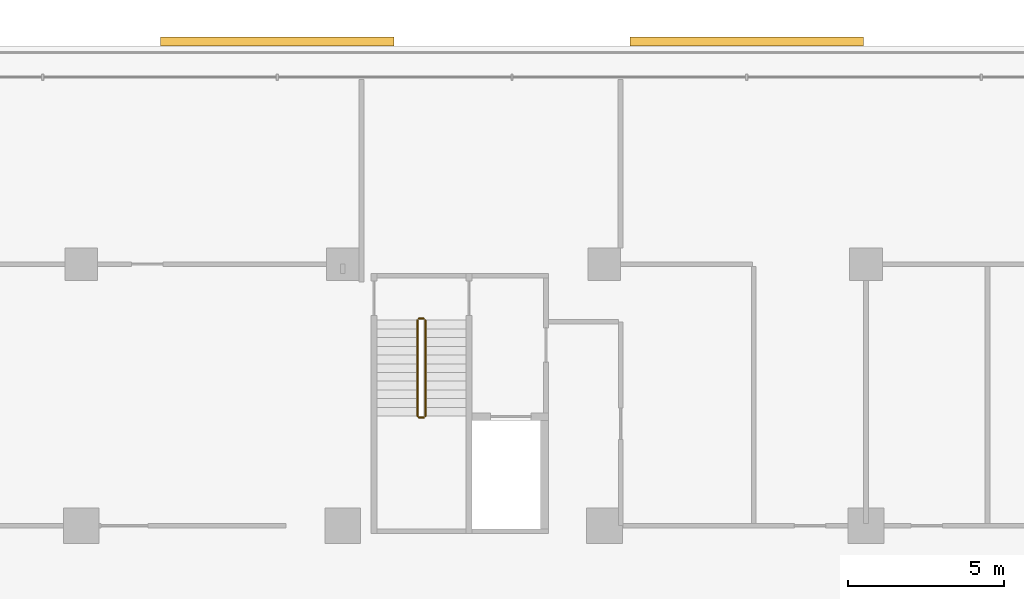
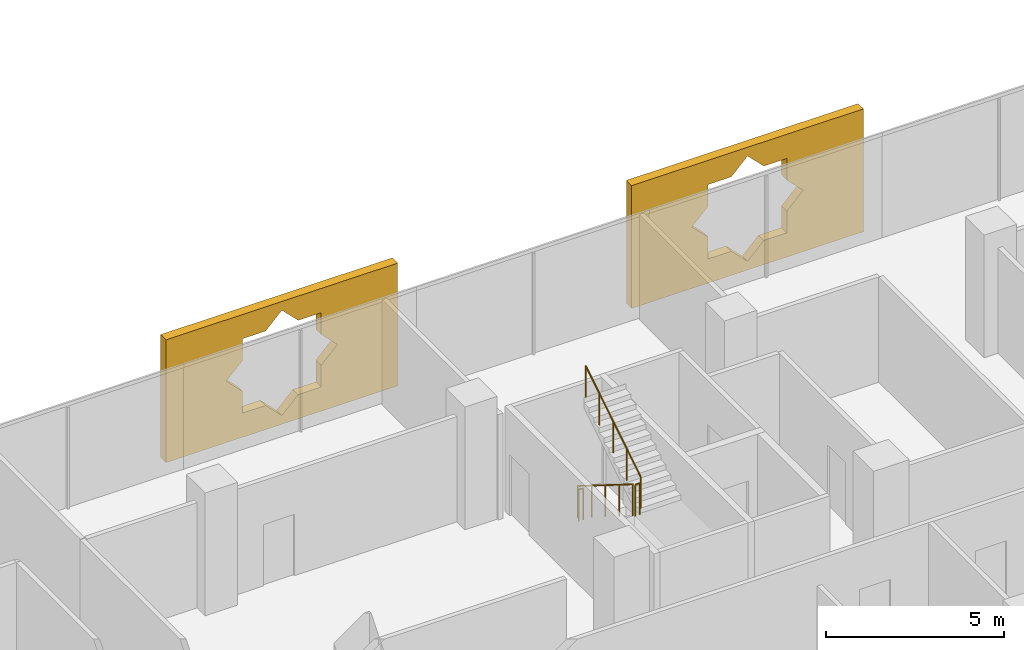
# One storey, part 24 of 25: 4 railings, 2 coverings.
"""IFC4 building model written with IfcOpenShell, lengths in metres."""

import ifcopenshell
import ifcopenshell.guid

model = None  # the IFC model being written
_history = None  # IfcOwnerHistory: only IFC2X3 demands one
_inside = {}  # id of a spatial element -> (the spatial element, [elements in it])
_under = {}  # id of a project, library or spatial element -> (it, [spatial elements below it])
_declared = {}  # id of a project -> (the project, [libraries it declares])
_typed = {}  # id of a type object -> (the type object, [elements of that type])
_made_of = {}  # id of a material, layer set ... -> (it, [elements and type objects made of it])


def new_model(schema):
    """Start an empty IFC model of exactly this schema.

    Asked for "IFC4X3", IfcOpenShell would pick the latest addendum, in which some entities
    have other attributes; the version numbers below select the first issue.
    IFC2X3 requires an IfcOwnerHistory on every rooted entity: one is made here for all.
    """
    global model, _history
    if schema == "IFC4X3":
        model = ifcopenshell.file(schema_version=(4, 3, 0, 0))
    else:
        model = ifcopenshell.file(schema=schema)
    _inside.clear()
    _under.clear()
    _declared.clear()
    _typed.clear()
    _made_of.clear()
    _history = None
    if model.schema == "IFC2X3":
        org = make("IfcOrganization", Name="unknown")
        user = make(
            "IfcPersonAndOrganization",
            ThePerson=make("IfcPerson", FamilyName="unknown"),
            TheOrganization=org,
        )
        app = make(
            "IfcApplication",
            ApplicationDeveloper=org,
            Version="unknown",
            ApplicationFullName="unknown",
            ApplicationIdentifier="unknown",
        )
        _history = make(
            "IfcOwnerHistory",
            OwningUser=user,
            OwningApplication=app,
            ChangeAction="ADDED",
            CreationDate=0,
        )
    return model


def make(cls, **values):
    """One entity of the class cls with the attributes given. An attribute that is None is left unset."""
    return model.create_entity(
        cls, **{name: value for name, value in values.items() if value is not None}
    )


def rooted(cls, **values):
    """An entity with a GlobalId (a new one), such as an element, a storey or a relation."""
    return make(cls, GlobalId=ifcopenshell.guid.new(), OwnerHistory=_history, **values)


def si_unit(unit_type, name, prefix=None):
    """IfcSIUnit, for example si_unit("LENGTHUNIT", "METRE", prefix="MILLI")."""
    return make("IfcSIUnit", UnitType=unit_type, Prefix=prefix, Name=name)


def assignment(units):
    """IfcUnitAssignment: the units of a project."""
    return None if units is None else make("IfcUnitAssignment", Units=units)


def point(xyz):
    """IfcCartesianPoint."""
    return None if xyz is None else make("IfcCartesianPoint", Coordinates=xyz)


def direction(xyz):
    """IfcDirection."""
    return None if xyz is None else make("IfcDirection", DirectionRatios=xyz)


def frame(location, z_axis=None, x_axis=None):
    """IfcAxis2Placement3D, a coordinate frame: its origin and axes. An axis left out is left unset."""
    return make(
        "IfcAxis2Placement3D",
        Location=point(location),
        Axis=direction(z_axis),
        RefDirection=direction(x_axis),
    )


def frame_2d(location, x_axis=None):
    """IfcAxis2Placement2D, a coordinate frame in the plane: its origin and x axis."""
    return make(
        "IfcAxis2Placement2D", Location=point(location), RefDirection=direction(x_axis)
    )


def origin():
    """The frame at (0, 0, 0) with its axes left unset."""
    return frame((0.0, 0.0, 0.0))


def origin_2d():
    """The frame at (0, 0) in the plane with its x axis left unset."""
    return frame_2d((0.0, 0.0))


def place(relative_to, where):
    """IfcLocalPlacement: puts the frame where relative to a parent placement (None: the world)."""
    return make(
        "IfcLocalPlacement", PlacementRelTo=relative_to, RelativePlacement=where
    )


def context(
    kind, dimensions, precision=None, world=None, true_north=None, identifier=None
):
    """IfcGeometricRepresentationContext, for example the 3D "Model" context."""
    return make(
        "IfcGeometricRepresentationContext",
        ContextIdentifier=identifier,
        ContextType=kind,
        CoordinateSpaceDimension=dimensions,
        Precision=precision,
        WorldCoordinateSystem=world,
        TrueNorth=true_north,
    )


def subcontext(parent, identifier, kind, view, scale=None):
    """IfcGeometricRepresentationSubContext, for example "Body" below "Model"."""
    return make(
        "IfcGeometricRepresentationSubContext",
        ContextIdentifier=identifier,
        ContextType=kind,
        ParentContext=parent,
        TargetScale=scale,
        TargetView=view,
    )


def project(units=None, contexts=None):
    """IfcProject with its units and contexts."""
    return rooted(
        "IfcProject",
        Name="project",
        RepresentationContexts=contexts,
        UnitsInContext=assignment(units),
    )


def spatial(cls, under=None, at=None, **own):
    """A site, building, storey or space (cls), placed at a placement, below another one or the project."""
    s = rooted(cls, ObjectPlacement=at, **own)
    if under is not None:
        _under.setdefault(under.id(), (under, []))[1].append(s)
    return s


def polyline(points):
    """IfcPolyline through the points."""
    return make("IfcPolyline", Points=[point(p) for p in points])


def profile(cls, at=None, kind="AREA", **sizes):
    """A parametric profile (cls). Its sizes go by their IFC names, for example OverallWidth=200.0."""
    return make(cls, ProfileType=kind, Position=at, **sizes)


def circle(**sizes):
    """IfcCircleProfileDef."""
    return profile("IfcCircleProfileDef", **sizes)


def outline(outer, holes=None, kind="AREA"):
    """IfcArbitraryClosedProfileDef: a profile drawn as a closed curve; with holes, ...WithVoids."""
    if holes is None:
        return make("IfcArbitraryClosedProfileDef", ProfileType=kind, OuterCurve=outer)
    return make(
        "IfcArbitraryProfileDefWithVoids",
        ProfileType=kind,
        OuterCurve=outer,
        InnerCurves=holes,
    )


def extrude(swept, where, along, depth):
    """IfcExtrudedAreaSolid: the profile swept, set in the frame where, extruded along a direction by depth."""
    return make(
        "IfcExtrudedAreaSolid",
        SweptArea=swept,
        Position=where,
        ExtrudedDirection=direction(along),
        Depth=depth,
    )


def shape(context_of_items, identifier, shape_type, items):
    """IfcShapeRepresentation: the items that make up one representation, for example the "Body"."""
    return make(
        "IfcShapeRepresentation",
        ContextOfItems=context_of_items,
        RepresentationIdentifier=identifier,
        RepresentationType=shape_type,
        Items=items,
    )


def material(Name=None, Category=None):
    """IfcMaterial."""
    return make("IfcMaterial", Name=Name, Category=Category)


def material_profile(
    of_material, cross_section, Name=None, Category=None, Priority=None
):
    """IfcMaterialProfile: a cross section and its material."""
    return make(
        "IfcMaterialProfile",
        Name=Name,
        Material=of_material,
        Profile=cross_section,
        Priority=Priority,
        Category=Category,
    )


def profile_set(profiles, Name=None, composite=None):
    """IfcMaterialProfileSet."""
    return make(
        "IfcMaterialProfileSet",
        Name=Name,
        MaterialProfiles=profiles,
        CompositeProfile=composite,
    )


def made_of(thing, what):
    """Note that an element or type object is made of a material, layer set ...; save() writes the relation."""
    if what is not None:
        _made_of.setdefault(what.id(), (what, []))[1].append(thing)
    return thing


def type_object(cls, material=None, **own):
    """A type object (cls), such as IfcWallType, which elements share."""
    return made_of(rooted(cls, **own), material)


def element(
    cls,
    number,
    at=None,
    inside=None,
    cuts=None,
    type_object=None,
    material=None,
    context=None,
    identifier="Body",
    shape_type=None,
    held_by="IfcProductDefinitionShape",
    body=None,
    shapes=None,
    **own,
):
    """One element of the class cls, such as IfcWall. Its Tag is "e" and its number.

    at: its placement. inside: the storey or other place that contains it. cuts: it is an
    opening in that element (IfcRelVoidsElement). A single representation is given by context,
    identifier, shape_type and body (its items); several are given by shapes. held_by: the class
    of the entity that holds the representations. save() writes the other relations.
    """
    e = rooted(cls, Tag="e%d" % number, ObjectPlacement=at, **own)
    if body is not None:
        shapes = [shape(context, identifier, shape_type, body)]
    if shapes is not None:
        e.Representation = make(held_by, Representations=shapes)
    if inside is not None:
        _inside.setdefault(inside.id(), (inside, []))[1].append(e)
    if cuts is not None:
        rooted(
            "IfcRelVoidsElement", RelatingBuildingElement=cuts, RelatedOpeningElement=e
        )
    if type_object is not None:
        _typed.setdefault(type_object.id(), (type_object, []))[1].append(e)
    return made_of(e, material)


def aggregate(whole, parts):
    """IfcRelAggregates: a whole, such as a stair, and the parts it consists of."""
    return rooted("IfcRelAggregates", RelatingObject=whole, RelatedObjects=parts)


def save(model, path):
    """Write the relations noted so far, then the file.

    IfcRelAggregates (storeys below a building ...), IfcRelContainedInSpatialStructure (elements
    in a storey), IfcRelDefinesByType, IfcRelAssociatesMaterial and IfcRelDeclares: one each for
    every whole, place, type object, material and project.
    """
    for whole, parts in _under.values():
        aggregate(whole, parts)
    for where, things in _inside.values():
        rooted(
            "IfcRelContainedInSpatialStructure",
            RelatedElements=things,
            RelatingStructure=where,
        )
    for kind, things in _typed.values():
        rooted("IfcRelDefinesByType", RelatedObjects=things, RelatingType=kind)
    for what, things in _made_of.values():
        rooted("IfcRelAssociatesMaterial", RelatedObjects=things, RelatingMaterial=what)
    for by, libraries in _declared.values():
        rooted("IfcRelDeclares", RelatingContext=by, RelatedDefinitions=libraries)
    model.write(path)


model = new_model("IFC4")

# Units and contexts
model_context = context("Model", 3, precision=1e-05, world=origin(), true_north=direction((0.0, 1.0)))
body_context = subcontext(model_context, "Body", "Model", "MODEL_VIEW")
ifc_project = project(units=[si_unit("LENGTHUNIT", "METRE"), si_unit("AREAUNIT", "SQUARE_METRE"), si_unit("VOLUMEUNIT", "CUBIC_METRE"), si_unit("PLANEANGLEUNIT", "RADIAN"), si_unit("MASSUNIT", "GRAM", prefix="KILO")], contexts=[model_context])

# Site, building, storey
site_placement = place(None, origin())
site = spatial("IfcSite", under=ifc_project, at=site_placement, CompositionType="ELEMENT")
building_placement = place(site_placement, origin())
building = spatial("IfcBuilding", under=site, at=building_placement, Name="Kawkab Arch Medical Tower", CompositionType="ELEMENT")
storey_placement = place(building_placement, frame((0.0, 0.0, 98.800048828125)))
storey = spatial("IfcBuildingStorey", under=building, at=storey_placement, Name="L22", CompositionType="ELEMENT", Elevation=98.800048828125)

# Coverings
ifc_material_1 = material(Name="Bronze anodised aluminium mashrabiya panel, eight-point star pattern", Category="aluminium")
ifc_material_profile = material_profile(ifc_material_1, outline(polyline([(-3.75, -2.10009765625), (3.75, -2.10009765625), (3.75, 2.10009765625), (-3.75, 2.10009765625), (-3.75, -2.10009765625)]), holes=[polyline([(1.800048828125, 0.0), (1.272705078125, 0.527099609375), (1.272705078125, 1.272705078125), (0.527099609375, 1.272705078125), (0.0, 1.800048828125), (-0.527099609375, 1.272705078125), (-1.272705078125, 1.272705078125), (-1.272705078125, 0.527099609375), (-1.800048828125, 0.0), (-1.272705078125, -0.527099609375), (-1.272705078125, -1.272705078125), (-0.527099609375, -1.272705078125), (0.0, -1.800048828125), (0.527099609375, -1.272705078125), (1.272705078125, -1.272705078125), (1.272705078125, -0.527099609375), (1.800048828125, 0.0)])]), Name="Mashrabiya panel 7500x4200")
ifc_profile_set = profile_set([ifc_material_profile], Name="Bronze anodised aluminium mashrabiya panel, eight-point star pattern")
covering_type = type_object("IfcCoveringType", Name="Mashrabiya panel 7500 x 4200", PredefinedType="USERDEFINED", material=ifc_profile_set)
for number, where, z_axis, x_axis, name in (
    (1, (39.89990234375, 7.0, 1.699951171875), (0.0, 1.0, 0.0), (-1.0, 0.0, 0.0), "Mashrabiya panel L22.LOG-01-01.6"),
    (2, (54.967529296875, 7.0, 1.699951171875), (0.0, 1.0, 0.0), (-1.0, 0.0, 0.0), "Mashrabiya panel L22.LOG-01-01.7"),
):
    element("IfcCovering", number, at=place(storey_placement, frame(where, z_axis=z_axis, x_axis=x_axis)), inside=storey, type_object=covering_type, Name=name, ObjectType="SCREEN", PredefinedType="USERDEFINED", context=body_context, shape_type="SweptSolid", body=[
        extrude(outline(polyline([(-3.75, -2.10009765625), (3.75, -2.10009765625), (3.75, 2.10009765625), (-3.75, 2.10009765625), (-3.75, -2.10009765625)]), holes=[polyline([(1.800048828125, 0.0), (1.272705078125, 0.527099609375), (1.272705078125, 1.272705078125), (0.527099609375, 1.272705078125), (0.0, 1.800048828125), (-0.527099609375, 1.272705078125), (-1.272705078125, 1.272705078125), (-1.272705078125, 0.527099609375), (-1.800048828125, 0.0), (-1.272705078125, -0.527099609375), (-1.272705078125, -1.272705078125), (-0.527099609375, -1.272705078125), (0.0, -1.800048828125), (0.527099609375, -1.272705078125), (1.272705078125, -1.272705078125), (1.272705078125, -0.527099609375), (1.800048828125, 0.0)])]), origin(), (0.0, 0.0, 1.0), 0.300048828125),
    ])

# Railings
ifc_material_2 = material(Name="Stainless steel", Category="steel")
railing_type = type_object("IfcRailingType", Name="Stair guard 1100", PredefinedType="GUARDRAIL", material=ifc_material_2)
railing_1_placement = place(storey_placement, frame((44.39990234375, -1.800048828125, 0.175048828125)))
element("IfcRailing", 3, at=railing_1_placement, inside=storey, type_object=railing_type, Name="L22 ST5 stair guard 1", PredefinedType="GUARDRAIL", context=body_context, shape_type="SweptSolid", body=[
    extrude(circle(Radius=0.02392578125, at=origin_2d()), frame((0.0, 0.0, 1.076171875), z_axis=(0.0, -0.848009633417, 0.529980812513), x_axis=(1.0, 0.0, 0.0)), (0.0, 0.0, 1.0), 3.6318359375),
    extrude(circle(Radius=0.02099609375, at=origin_2d()), origin(), (0.0, 0.0, 1.0), 1.052001953125),
    extrude(circle(Radius=0.02099609375, at=origin_2d()), frame((0.0, -0.77001953125, 0.481201171875)), (0.0, 0.0, 1.0), 1.052001953125),
    extrude(circle(Radius=0.02099609375, at=origin_2d()), frame((0.0, -1.5400390625, 0.96240234375)), (0.0, 0.0, 1.0), 1.052001953125),
    extrude(circle(Radius=0.02099609375, at=origin_2d()), frame((0.0, -2.309814453125, 1.443603515625)), (0.0, 0.0, 1.0), 1.052001953125),
    extrude(circle(Radius=0.02099609375, at=origin_2d()), frame((0.0, -3.079833984375, 1.9248046875)), (0.0, 0.0, 1.0), 1.052001953125),
])
railing_2_placement = place(storey_placement, frame((44.449951171875, -4.929931640625, 2.099853515625)))
element("IfcRailing", 4, at=railing_2_placement, inside=storey, type_object=railing_type, Name="L22 ST5 stair guard 2", PredefinedType="GUARDRAIL", context=body_context, shape_type="SweptSolid", body=[
    extrude(circle(Radius=0.02392578125, at=origin_2d()), frame((0.0, 0.0, 1.076171875), z_axis=(1.0, 0.0, 0.0), x_axis=(0.0, 1.0, 0.0)), (0.0, 0.0, 1.0), 0.150146484375),
    extrude(circle(Radius=0.02099609375, at=origin_2d()), origin(), (0.0, 0.0, 1.0), 1.052001953125),
    extrude(circle(Radius=0.02099609375, at=origin_2d()), frame((0.150146484375, 0.0, 0.0)), (0.0, 0.0, 1.0), 1.052001953125),
])
railing_3_placement = place(storey_placement, frame((44.64990234375, -4.8798828125, 2.27490234375)))
element("IfcRailing", 5, at=railing_3_placement, inside=storey, type_object=railing_type, Name="L22 ST5 stair guard 3", PredefinedType="GUARDRAIL", context=body_context, shape_type="SweptSolid", body=[
    extrude(circle(Radius=0.02392578125, at=origin_2d()), frame((0.0, 0.0, 1.076171875), z_axis=(0.0, 0.847979421464, 0.530029150871), x_axis=(-1.0, 0.0, 0.0)), (0.0, 0.0, 1.0), 3.632080078125),
    extrude(circle(Radius=0.02099609375, at=origin_2d()), origin(), (0.0, 0.0, 1.0), 1.052001953125),
    extrude(circle(Radius=0.02099609375, at=origin_2d()), frame((0.0, 0.77001953125, 0.481201171875)), (0.0, 0.0, 1.0), 1.052001953125),
    extrude(circle(Radius=0.02099609375, at=origin_2d()), frame((0.0, 1.5400390625, 0.96240234375)), (0.0, 0.0, 1.0), 1.052001953125),
    extrude(circle(Radius=0.02099609375, at=origin_2d()), frame((0.0, 2.309814453125, 1.44384765625)), (0.0, 0.0, 1.0), 1.052001953125),
    extrude(circle(Radius=0.02099609375, at=origin_2d()), frame((0.0, 3.079833984375, 1.925048828125)), (0.0, 0.0, 1.0), 1.052001953125),
])
railing_4_placement = place(storey_placement, frame((44.449951171875, -1.75, 0.0)))
element("IfcRailing", 6, at=railing_4_placement, inside=storey, type_object=railing_type, Name="L22 ST5 stair guard 4", PredefinedType="GUARDRAIL", context=body_context, shape_type="SweptSolid", body=[
    extrude(circle(Radius=0.02392578125, at=origin_2d()), frame((0.0, 0.0, 1.076171875), z_axis=(1.0, 0.0, 0.0), x_axis=(0.0, 1.0, 0.0)), (0.0, 0.0, 1.0), 0.150146484375),
    extrude(circle(Radius=0.02099609375, at=origin_2d()), origin(), (0.0, 0.0, 1.0), 1.052001953125),
    extrude(circle(Radius=0.02099609375, at=origin_2d()), frame((0.150146484375, 0.0, 0.0)), (0.0, 0.0, 1.0), 1.052001953125),
])

save(model, "model.ifc")
